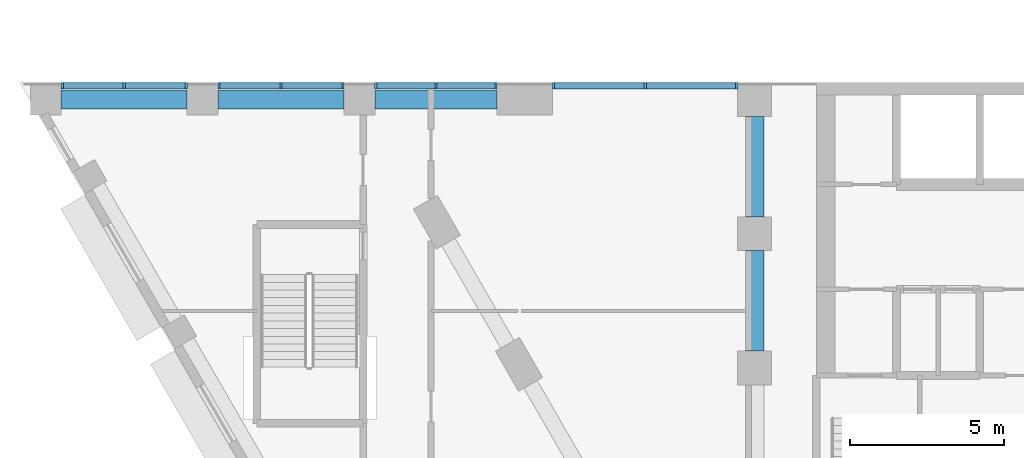
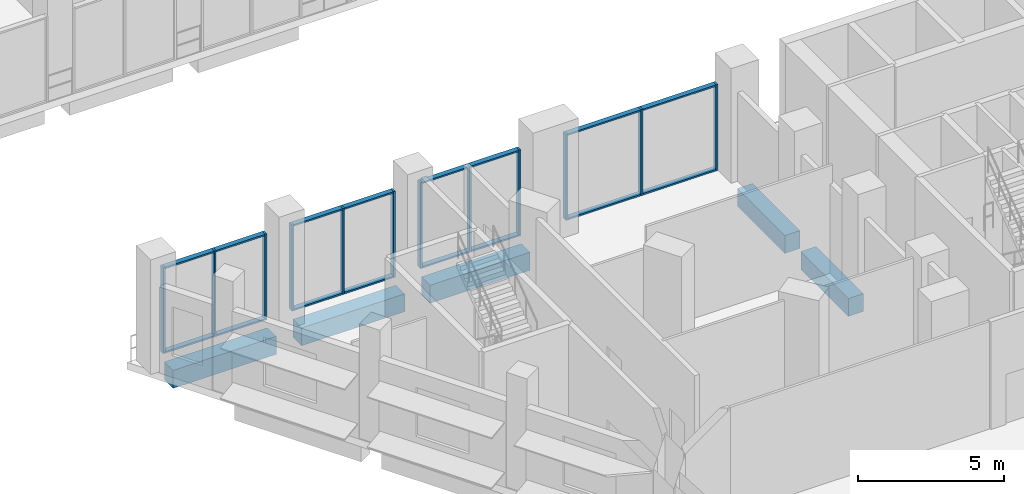
# One storey, part 2 of 45: 28 members, 5 beams, 4 elements without a shape of their own.
"""IFC4 building model written with IfcOpenShell, lengths in metres."""

from ifc_helpers import new_model, si_unit, direction, frame, origin, origin_2d, place, context, subcontext, project, spatial, rectangle, extrude, material, layer, layer_set, material_profile, profile_set, type_object, element, aggregate, save


model = new_model("IFC4")

# Units and contexts
model_context = context("Model", 3, precision=1e-05, world=origin(), true_north=direction((0.0, 1.0)))
body_context = subcontext(model_context, "Body", "Model", "MODEL_VIEW")
ifc_project = project(units=[si_unit("LENGTHUNIT", "METRE"), si_unit("AREAUNIT", "SQUARE_METRE"), si_unit("VOLUMEUNIT", "CUBIC_METRE"), si_unit("PLANEANGLEUNIT", "RADIAN"), si_unit("MASSUNIT", "GRAM", prefix="KILO")], contexts=[model_context])

# Site, building, storey
site_placement = place(None, origin())
site = spatial("IfcSite", under=ifc_project, at=site_placement, CompositionType="ELEMENT")
building_placement = place(site_placement, origin())
building = spatial("IfcBuilding", under=site, at=building_placement, Name="Nakaniwa Court", CompositionType="ELEMENT")
storey_placement = place(building_placement, frame((0.0, 0.0, 6.60009765625)))
storey = spatial("IfcBuildingStorey", under=building, at=storey_placement, Name="L01", CompositionType="ELEMENT", Elevation=6.60009765625)

# Beams
ifc_material_1 = material(Name="Concrete C100/115", Category="concrete")
ifc_material_profile_1 = material_profile(ifc_material_1, rectangle(XDim=0.60009765625, YDim=0.75, at=origin_2d()), Name="Concrete C100/115 RC 600x750 ring beam")
ifc_profile_set_1 = profile_set([ifc_material_profile_1], Name="Concrete C100/115")
beam_type = type_object("IfcBeamType", Name="Concrete C100/115 RC 600x750 ring beam", PredefinedType="BEAM", material=ifc_profile_set_1)
for number, where, z_axis, x_axis, name in (
    (1, (70.0, 71.5, -0.675048828125), (0.0, -1.0, 0.0), (1.0, 0.0, 0.0), "RING BEAM"),
    (2, (70.0, 67.14990234375, -0.675048828125), (0.0, -1.0, 0.0), (1.0, 0.0, 0.0), "RING BEAM"),
):
    element("IfcBeam", number, at=place(storey_placement, frame(where, z_axis=z_axis, x_axis=x_axis)), inside=storey, type_object=beam_type, Name=name, PredefinedType="BEAM", context=body_context, shape_type="SweptSolid", body=[
        extrude(rectangle(XDim=0.60009765625, YDim=0.75, at=origin_2d()), origin(), (0.0, 0.0, 1.0), 3.25),
    ])
beam_1_placement = place(storey_placement, frame((47.50390625, 72.050048828125, -0.675048828125), z_axis=(1.0, 0.0, 0.0), x_axis=(0.0, 1.0, 0.0)))
element("IfcBeam", 3, at=beam_1_placement, inside=storey, type_object=beam_type, Name="RING BEAM", PredefinedType="BEAM", context=body_context, shape_type="SweptSolid", body=[
    extrude(rectangle(XDim=0.60009765625, YDim=0.75, at=origin_2d()), origin(), (0.0, 0.0, 1.0), 4.087158203125),
])
beam_2_placement = place(storey_placement, frame((52.591064453125, 72.050048828125, -0.675048828125), z_axis=(1.0, 0.0, 0.0), x_axis=(0.0, 1.0, 0.0)))
element("IfcBeam", 4, at=beam_2_placement, inside=storey, type_object=beam_type, Name="RING BEAM", PredefinedType="BEAM", context=body_context, shape_type="SweptSolid", body=[
    extrude(rectangle(XDim=0.60009765625, YDim=0.75, at=origin_2d()), origin(), (0.0, 0.0, 1.0), 4.0859375),
])
beam_3_placement = place(storey_placement, frame((57.677001953125, 72.050048828125, -0.675048828125), z_axis=(1.0, 0.0, 0.0), x_axis=(0.0, 1.0, 0.0)))
element("IfcBeam", 5, at=beam_3_placement, inside=storey, type_object=beam_type, Name="RING BEAM", PredefinedType="BEAM", context=body_context, shape_type="SweptSolid", body=[
    extrude(rectangle(XDim=0.60009765625, YDim=0.75, at=origin_2d()), origin(), (0.0, 0.0, 1.0), 3.965087890625),
])

# Curtain wall, members
ifc_material_2 = material(Name="Black anodised aluminium frame with dark low-E laminated double glazing", Category="aluminium")
ifc_layer = layer(ifc_material_2, 0.199951171875)
ifc_layer_set = layer_set([ifc_layer], Name="Black anodised aluminium frame with dark low-E laminated double glazing")
curtain_wall_type = type_object("IfcCurtainWallType", Name="Portal side curtain wall", PredefinedType="NOTDEFINED", material=ifc_layer_set)
curtain_wall_1_placement = place(storey_placement, origin())
curtain_wall_1 = element("IfcCurtainWall", 6, at=curtain_wall_1_placement, inside=storey, type_object=curtain_wall_type, Name="L01 curtain wall CW5 08", PredefinedType="NOTDEFINED")
ifc_material_3 = material(Name="Black anodised aluminium extrusion", Category="aluminium")
ifc_material_profile_2 = material_profile(ifc_material_3, rectangle(XDim=0.199951171875, YDim=0.074951171875, at=origin_2d()), Name="Portal side curtain wall mullion 75x200")
ifc_profile_set_2 = profile_set([ifc_material_profile_2], Name="Black anodised aluminium extrusion")
member_type_1 = type_object("IfcMemberType", Name="Portal side curtain wall mullion 75x200", PredefinedType="MULLION", material=ifc_profile_set_2)
member_1_placement = place(storey_placement, frame((69.41650390625, 72.5, 0.0), z_axis=(0.0, 0.0, 1.0), x_axis=(0.0, -1.0, 0.0)))
member_1 = element("IfcMember", 7, at=member_1_placement, type_object=member_type_1, Name="CW5 mullion 1", PredefinedType="MULLION", context=body_context, shape_type="SweptSolid", body=[
    extrude(rectangle(XDim=0.199951171875, YDim=0.074951171875, at=origin_2d()), origin(), (0.0, 0.0, 1.0), 3.599853515625),
])
member_2_placement = place(storey_placement, frame((66.446044921875, 72.5, 0.0), z_axis=(0.0, 0.0, 1.0), x_axis=(0.0, -1.0, 0.0)))
member_2 = element("IfcMember", 8, at=member_2_placement, type_object=member_type_1, Name="CW5 mullion 2", PredefinedType="MULLION", context=body_context, shape_type="SweptSolid", body=[
    extrude(rectangle(XDim=0.199951171875, YDim=0.074951171875, at=origin_2d()), origin(), (0.0, 0.0, 1.0), 3.599853515625),
])
member_3_placement = place(storey_placement, frame((63.4755859375, 72.5, 0.0), z_axis=(0.0, 0.0, 1.0), x_axis=(0.0, -1.0, 0.0)))
member_3 = element("IfcMember", 9, at=member_3_placement, type_object=member_type_1, Name="CW5 mullion 3", PredefinedType="MULLION", context=body_context, shape_type="SweptSolid", body=[
    extrude(rectangle(XDim=0.199951171875, YDim=0.074951171875, at=origin_2d()), origin(), (0.0, 0.0, 1.0), 3.599853515625),
])

curtain_wall_2_placement = place(storey_placement, origin())
curtain_wall_2 = element("IfcCurtainWall", 10, at=curtain_wall_2_placement, inside=storey, type_object=curtain_wall_type, Name="L01 curtain wall CW5 09", PredefinedType="NOTDEFINED")
member_4_placement = place(storey_placement, frame((61.6083984375, 72.5, 0.0), z_axis=(0.0, 0.0, 1.0), x_axis=(0.0, -1.0, 0.0)))
member_4 = element("IfcMember", 11, at=member_4_placement, type_object=member_type_1, Name="CW5 mullion 1", PredefinedType="MULLION", context=body_context, shape_type="SweptSolid", body=[
    extrude(rectangle(XDim=0.199951171875, YDim=0.074951171875, at=origin_2d()), origin(), (0.0, 0.0, 1.0), 3.599853515625),
])
member_5_placement = place(storey_placement, frame((59.659423828125, 72.5, 0.0), z_axis=(0.0, 0.0, 1.0), x_axis=(0.0, -1.0, 0.0)))
member_5 = element("IfcMember", 12, at=member_5_placement, type_object=member_type_1, Name="CW5 mullion 2", PredefinedType="MULLION", context=body_context, shape_type="SweptSolid", body=[
    extrude(rectangle(XDim=0.199951171875, YDim=0.074951171875, at=origin_2d()), origin(), (0.0, 0.0, 1.0), 3.599853515625),
])
member_6_placement = place(storey_placement, frame((57.71044921875, 72.5, 0.0), z_axis=(0.0, 0.0, 1.0), x_axis=(0.0, -1.0, 0.0)))
member_6 = element("IfcMember", 13, at=member_6_placement, type_object=member_type_1, Name="CW5 mullion 3", PredefinedType="MULLION", context=body_context, shape_type="SweptSolid", body=[
    extrude(rectangle(XDim=0.199951171875, YDim=0.074951171875, at=origin_2d()), origin(), (0.0, 0.0, 1.0), 3.599853515625),
])

curtain_wall_3_placement = place(storey_placement, origin())
curtain_wall_3 = element("IfcCurtainWall", 14, at=curtain_wall_3_placement, inside=storey, type_object=curtain_wall_type, Name="L01 curtain wall CW5 10", PredefinedType="NOTDEFINED")
member_7_placement = place(storey_placement, frame((56.6435546875, 72.5, 0.0), z_axis=(0.0, 0.0, 1.0), x_axis=(0.0, -1.0, 0.0)))
member_7 = element("IfcMember", 15, at=member_7_placement, type_object=member_type_1, Name="CW5 mullion 1", PredefinedType="MULLION", context=body_context, shape_type="SweptSolid", body=[
    extrude(rectangle(XDim=0.199951171875, YDim=0.074951171875, at=origin_2d()), origin(), (0.0, 0.0, 1.0), 3.599853515625),
])
member_8_placement = place(storey_placement, frame((54.634033203125, 72.5, 0.0), z_axis=(0.0, 0.0, 1.0), x_axis=(0.0, -1.0, 0.0)))
member_8 = element("IfcMember", 16, at=member_8_placement, type_object=member_type_1, Name="CW5 mullion 2", PredefinedType="MULLION", context=body_context, shape_type="SweptSolid", body=[
    extrude(rectangle(XDim=0.199951171875, YDim=0.074951171875, at=origin_2d()), origin(), (0.0, 0.0, 1.0), 3.599853515625),
])
member_9_placement = place(storey_placement, frame((52.62451171875, 72.5, 0.0), z_axis=(0.0, 0.0, 1.0), x_axis=(0.0, -1.0, 0.0)))
member_9 = element("IfcMember", 17, at=member_9_placement, type_object=member_type_1, Name="CW5 mullion 3", PredefinedType="MULLION", context=body_context, shape_type="SweptSolid", body=[
    extrude(rectangle(XDim=0.199951171875, YDim=0.074951171875, at=origin_2d()), origin(), (0.0, 0.0, 1.0), 3.599853515625),
])

curtain_wall_4_placement = place(storey_placement, origin())
curtain_wall_4 = element("IfcCurtainWall", 18, at=curtain_wall_4_placement, inside=storey, type_object=curtain_wall_type, Name="L01 curtain wall CW5 11", PredefinedType="NOTDEFINED")
member_10_placement = place(storey_placement, frame((51.5576171875, 72.5, 0.0), z_axis=(0.0, 0.0, 1.0), x_axis=(0.0, -1.0, 0.0)))
member_10 = element("IfcMember", 19, at=member_10_placement, type_object=member_type_1, Name="CW5 mullion 1", PredefinedType="MULLION", context=body_context, shape_type="SweptSolid", body=[
    extrude(rectangle(XDim=0.199951171875, YDim=0.074951171875, at=origin_2d()), origin(), (0.0, 0.0, 1.0), 3.599853515625),
])
member_11_placement = place(storey_placement, frame((49.547607421875, 72.5, 0.0), z_axis=(0.0, 0.0, 1.0), x_axis=(0.0, -1.0, 0.0)))
member_11 = element("IfcMember", 20, at=member_11_placement, type_object=member_type_1, Name="CW5 mullion 2", PredefinedType="MULLION", context=body_context, shape_type="SweptSolid", body=[
    extrude(rectangle(XDim=0.199951171875, YDim=0.074951171875, at=origin_2d()), origin(), (0.0, 0.0, 1.0), 3.599853515625),
])
member_12_placement = place(storey_placement, frame((47.53759765625, 72.5, 0.0), z_axis=(0.0, 0.0, 1.0), x_axis=(0.0, -1.0, 0.0)))
member_12 = element("IfcMember", 21, at=member_12_placement, type_object=member_type_1, Name="CW5 mullion 3", PredefinedType="MULLION", context=body_context, shape_type="SweptSolid", body=[
    extrude(rectangle(XDim=0.199951171875, YDim=0.074951171875, at=origin_2d()), origin(), (0.0, 0.0, 1.0), 3.599853515625),
])

# Member
ifc_material_profile_3 = material_profile(ifc_material_3, rectangle(XDim=0.199951171875, YDim=0.06494140625, at=origin_2d()), Name="Portal side curtain wall transom 65x200")
ifc_profile_set_3 = profile_set([ifc_material_profile_3], Name="Black anodised aluminium extrusion")
member_type_2 = type_object("IfcMemberType", Name="Portal side curtain wall transom 65x200", PredefinedType="USERDEFINED", material=ifc_profile_set_3)
member_13_placement = place(storey_placement, frame((69.37890625, 72.5, 0.032470703125), z_axis=(-1.0, 0.0, 0.0), x_axis=(0.0, -1.0, 0.0)))
member_13 = element("IfcMember", 22, at=member_13_placement, type_object=member_type_2, Name="CW5 transom 1.1", ObjectType="TRANSOM", PredefinedType="USERDEFINED", context=body_context, shape_type="SweptSolid", body=[
    extrude(rectangle(XDim=0.199951171875, YDim=0.06494140625, at=origin_2d()), origin(), (0.0, 0.0, 1.0), 2.8955078125),
])

member_14_placement = place(storey_placement, frame((69.37890625, 72.5, 3.5673828125), z_axis=(-1.0, 0.0, 0.0), x_axis=(0.0, -1.0, 0.0)))
member_14 = element("IfcMember", 23, at=member_14_placement, type_object=member_type_2, Name="CW5 transom 1.2", ObjectType="TRANSOM", PredefinedType="USERDEFINED", context=body_context, shape_type="SweptSolid", body=[
    extrude(rectangle(XDim=0.199951171875, YDim=0.06494140625, at=origin_2d()), origin(), (0.0, 0.0, 1.0), 2.8955078125),
])

member_15_placement = place(storey_placement, frame((66.408447265625, 72.5, 0.032470703125), z_axis=(-1.0, 0.0, 0.0), x_axis=(0.0, -1.0, 0.0)))
member_15 = element("IfcMember", 24, at=member_15_placement, type_object=member_type_2, Name="CW5 transom 2.1", ObjectType="TRANSOM", PredefinedType="USERDEFINED", context=body_context, shape_type="SweptSolid", body=[
    extrude(rectangle(XDim=0.199951171875, YDim=0.06494140625, at=origin_2d()), origin(), (0.0, 0.0, 1.0), 2.8955078125),
])

member_16_placement = place(storey_placement, frame((66.408447265625, 72.5, 3.5673828125), z_axis=(-1.0, 0.0, 0.0), x_axis=(0.0, -1.0, 0.0)))
member_16 = element("IfcMember", 25, at=member_16_placement, type_object=member_type_2, Name="CW5 transom 2.2", ObjectType="TRANSOM", PredefinedType="USERDEFINED", context=body_context, shape_type="SweptSolid", body=[
    extrude(rectangle(XDim=0.199951171875, YDim=0.06494140625, at=origin_2d()), origin(), (0.0, 0.0, 1.0), 2.8955078125),
])

aggregate(curtain_wall_1, [member_1, member_2, member_3, member_13, member_14, member_15, member_16])

member_17_placement = place(storey_placement, frame((61.571044921875, 72.5, 0.032470703125), z_axis=(-1.0, 0.0, 0.0), x_axis=(0.0, -1.0, 0.0)))
member_17 = element("IfcMember", 26, at=member_17_placement, type_object=member_type_2, Name="CW5 transom 1.1", ObjectType="TRANSOM", PredefinedType="USERDEFINED", context=body_context, shape_type="SweptSolid", body=[
    extrude(rectangle(XDim=0.199951171875, YDim=0.06494140625, at=origin_2d()), origin(), (0.0, 0.0, 1.0), 1.8740234375),
])

member_18_placement = place(storey_placement, frame((61.571044921875, 72.5, 3.5673828125), z_axis=(-1.0, 0.0, 0.0), x_axis=(0.0, -1.0, 0.0)))
member_18 = element("IfcMember", 27, at=member_18_placement, type_object=member_type_2, Name="CW5 transom 1.2", ObjectType="TRANSOM", PredefinedType="USERDEFINED", context=body_context, shape_type="SweptSolid", body=[
    extrude(rectangle(XDim=0.199951171875, YDim=0.06494140625, at=origin_2d()), origin(), (0.0, 0.0, 1.0), 1.8740234375),
])

member_19_placement = place(storey_placement, frame((59.6220703125, 72.5, 0.032470703125), z_axis=(-1.0, 0.0, 0.0), x_axis=(0.0, -1.0, 0.0)))
member_19 = element("IfcMember", 28, at=member_19_placement, type_object=member_type_2, Name="CW5 transom 2.1", ObjectType="TRANSOM", PredefinedType="USERDEFINED", context=body_context, shape_type="SweptSolid", body=[
    extrude(rectangle(XDim=0.199951171875, YDim=0.06494140625, at=origin_2d()), origin(), (0.0, 0.0, 1.0), 1.8740234375),
])

member_20_placement = place(storey_placement, frame((59.6220703125, 72.5, 3.5673828125), z_axis=(-1.0, 0.0, 0.0), x_axis=(0.0, -1.0, 0.0)))
member_20 = element("IfcMember", 29, at=member_20_placement, type_object=member_type_2, Name="CW5 transom 2.2", ObjectType="TRANSOM", PredefinedType="USERDEFINED", context=body_context, shape_type="SweptSolid", body=[
    extrude(rectangle(XDim=0.199951171875, YDim=0.06494140625, at=origin_2d()), origin(), (0.0, 0.0, 1.0), 1.8740234375),
])

aggregate(curtain_wall_2, [member_4, member_5, member_6, member_17, member_18, member_19, member_20])

member_21_placement = place(storey_placement, frame((56.60595703125, 72.5, 0.032470703125), z_axis=(-1.0, 0.0, 0.0), x_axis=(0.0, -1.0, 0.0)))
member_21 = element("IfcMember", 30, at=member_21_placement, type_object=member_type_2, Name="CW5 transom 1.1", ObjectType="TRANSOM", PredefinedType="USERDEFINED", context=body_context, shape_type="SweptSolid", body=[
    extrude(rectangle(XDim=0.199951171875, YDim=0.06494140625, at=origin_2d()), origin(), (0.0, 0.0, 1.0), 1.9345703125),
])

member_22_placement = place(storey_placement, frame((56.60595703125, 72.5, 3.5673828125), z_axis=(-1.0, 0.0, 0.0), x_axis=(0.0, -1.0, 0.0)))
member_22 = element("IfcMember", 31, at=member_22_placement, type_object=member_type_2, Name="CW5 transom 1.2", ObjectType="TRANSOM", PredefinedType="USERDEFINED", context=body_context, shape_type="SweptSolid", body=[
    extrude(rectangle(XDim=0.199951171875, YDim=0.06494140625, at=origin_2d()), origin(), (0.0, 0.0, 1.0), 1.9345703125),
])

member_23_placement = place(storey_placement, frame((54.596435546875, 72.5, 0.032470703125), z_axis=(-1.0, 0.0, 0.0), x_axis=(0.0, -1.0, 0.0)))
member_23 = element("IfcMember", 32, at=member_23_placement, type_object=member_type_2, Name="CW5 transom 2.1", ObjectType="TRANSOM", PredefinedType="USERDEFINED", context=body_context, shape_type="SweptSolid", body=[
    extrude(rectangle(XDim=0.199951171875, YDim=0.06494140625, at=origin_2d()), origin(), (0.0, 0.0, 1.0), 1.934326171875),
])

member_24_placement = place(storey_placement, frame((54.596435546875, 72.5, 3.5673828125), z_axis=(-1.0, 0.0, 0.0), x_axis=(0.0, -1.0, 0.0)))
member_24 = element("IfcMember", 33, at=member_24_placement, type_object=member_type_2, Name="CW5 transom 2.2", ObjectType="TRANSOM", PredefinedType="USERDEFINED", context=body_context, shape_type="SweptSolid", body=[
    extrude(rectangle(XDim=0.199951171875, YDim=0.06494140625, at=origin_2d()), origin(), (0.0, 0.0, 1.0), 1.934326171875),
])

aggregate(curtain_wall_3, [member_7, member_8, member_9, member_21, member_22, member_23, member_24])

member_25_placement = place(storey_placement, frame((51.52001953125, 72.5, 0.032470703125), z_axis=(-1.0, 0.0, 0.0), x_axis=(0.0, -1.0, 0.0)))
member_25 = element("IfcMember", 34, at=member_25_placement, type_object=member_type_2, Name="CW5 transom 1.1", ObjectType="TRANSOM", PredefinedType="USERDEFINED", context=body_context, shape_type="SweptSolid", body=[
    extrude(rectangle(XDim=0.199951171875, YDim=0.06494140625, at=origin_2d()), origin(), (0.0, 0.0, 1.0), 1.93505859375),
])

member_26_placement = place(storey_placement, frame((51.52001953125, 72.5, 3.5673828125), z_axis=(-1.0, 0.0, 0.0), x_axis=(0.0, -1.0, 0.0)))
member_26 = element("IfcMember", 35, at=member_26_placement, type_object=member_type_2, Name="CW5 transom 1.2", ObjectType="TRANSOM", PredefinedType="USERDEFINED", context=body_context, shape_type="SweptSolid", body=[
    extrude(rectangle(XDim=0.199951171875, YDim=0.06494140625, at=origin_2d()), origin(), (0.0, 0.0, 1.0), 1.93505859375),
])

member_27_placement = place(storey_placement, frame((49.510009765625, 72.5, 0.032470703125), z_axis=(-1.0, 0.0, 0.0), x_axis=(0.0, -1.0, 0.0)))
member_27 = element("IfcMember", 36, at=member_27_placement, type_object=member_type_2, Name="CW5 transom 2.1", ObjectType="TRANSOM", PredefinedType="USERDEFINED", context=body_context, shape_type="SweptSolid", body=[
    extrude(rectangle(XDim=0.199951171875, YDim=0.06494140625, at=origin_2d()), origin(), (0.0, 0.0, 1.0), 1.93505859375),
])

member_28_placement = place(storey_placement, frame((49.510009765625, 72.5, 3.5673828125), z_axis=(-1.0, 0.0, 0.0), x_axis=(0.0, -1.0, 0.0)))
member_28 = element("IfcMember", 37, at=member_28_placement, type_object=member_type_2, Name="CW5 transom 2.2", ObjectType="TRANSOM", PredefinedType="USERDEFINED", context=body_context, shape_type="SweptSolid", body=[
    extrude(rectangle(XDim=0.199951171875, YDim=0.06494140625, at=origin_2d()), origin(), (0.0, 0.0, 1.0), 1.93505859375),
])

aggregate(curtain_wall_4, [member_10, member_11, member_12, member_25, member_26, member_27, member_28])

save(model, "model.ifc")
